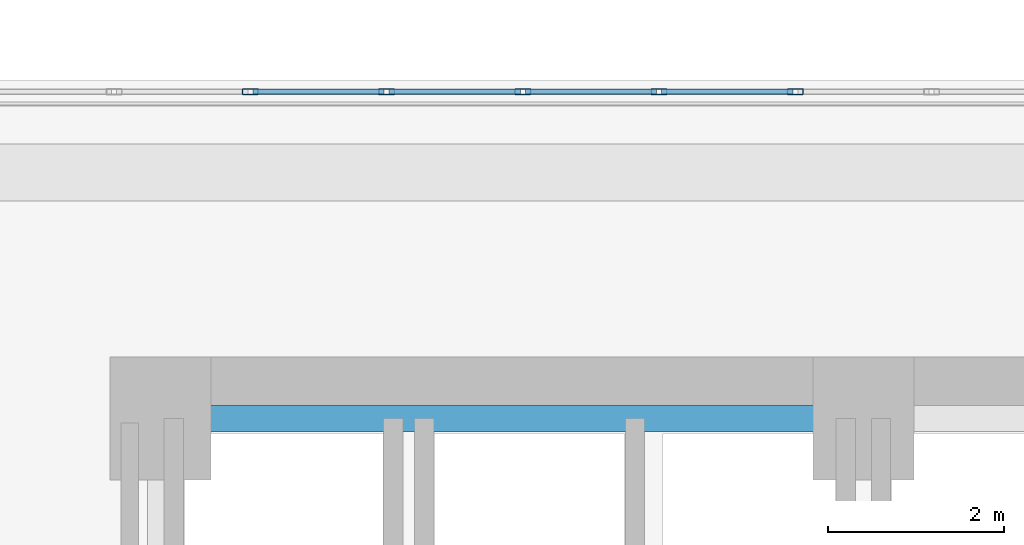
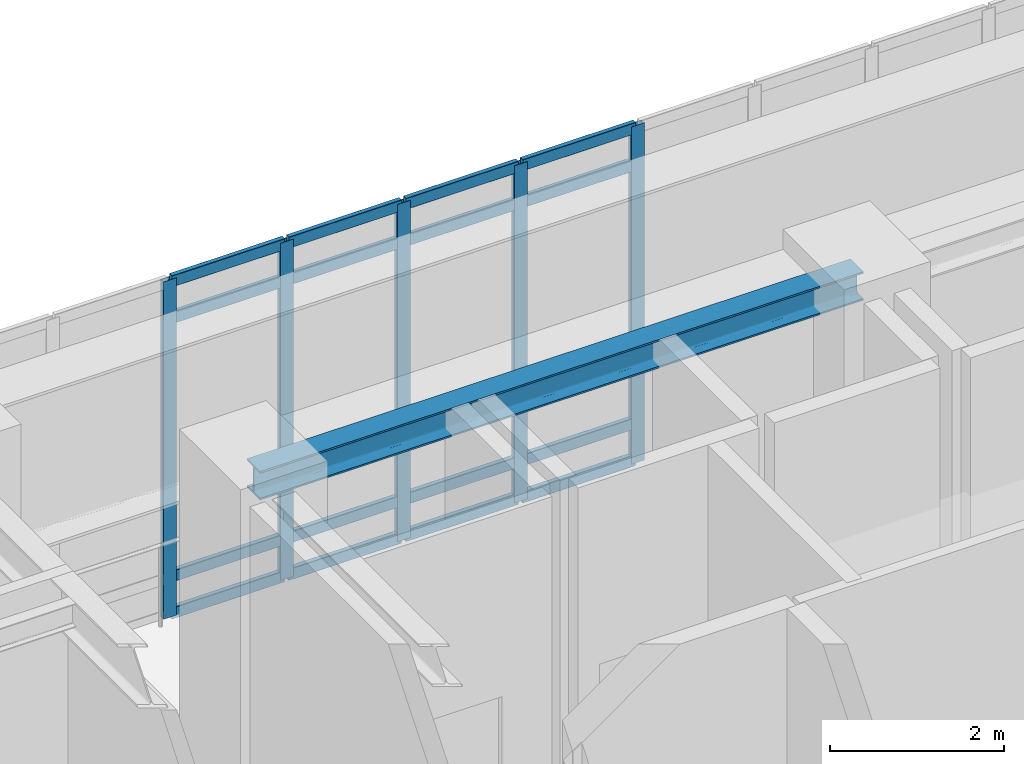
# One storey, part 10 of 26: 21 members, 1 beam, 1 element without a shape of its own.
"""IFC4 building model written with IfcOpenShell, lengths in metres."""

from ifc_helpers import new_model, si_unit, direction, frame, origin, origin_2d, place, context, subcontext, project, spatial, hollow_rectangle, i_section, extrude, material, layer, layer_set, material_profile, profile_set, type_object, element, aggregate, save


model = new_model("IFC4")

# Units and contexts
model_context = context("Model", 3, precision=1e-05, world=origin(), true_north=direction((0.0, 1.0)))
body_context = subcontext(model_context, "Body", "Model", "MODEL_VIEW")
ifc_project = project(units=[si_unit("LENGTHUNIT", "METRE"), si_unit("AREAUNIT", "SQUARE_METRE"), si_unit("VOLUMEUNIT", "CUBIC_METRE"), si_unit("PLANEANGLEUNIT", "RADIAN"), si_unit("MASSUNIT", "GRAM", prefix="KILO")], contexts=[model_context])

# Site, building, storey
site_placement = place(None, origin())
site = spatial("IfcSite", under=ifc_project, at=site_placement, CompositionType="ELEMENT")
building_placement = place(site_placement, origin())
building = spatial("IfcBuilding", under=site, at=building_placement, Name="Ndelora Gate Hotel", CompositionType="ELEMENT")
storey_placement = place(building_placement, frame((0.0, 0.0, 6.0)))
storey = spatial("IfcBuildingStorey", under=building, at=storey_placement, Name="L01", CompositionType="ELEMENT", Elevation=6.0)

# Beam
ifc_material_1 = material(Name="Steel S355", Category="steel")
ifc_material_profile_1 = material_profile(ifc_material_1, i_section(OverallWidth=0.300048828125, OverallDepth=0.39990234375, WebThickness=0.013427734375, FlangeThickness=0.02392578125, FilletRadius=0.027099609375, at=origin_2d()), Name="HEB 400")
ifc_profile_set_1 = profile_set([ifc_material_profile_1], Name="Steel S355")
beam_type = type_object("IfcBeamType", Name="BM-CORE-400", PredefinedType="BEAM", material=ifc_profile_set_1)
beam_placement = place(storey_placement, frame((-8.0, 6.60009765625, 4.52001953125), z_axis=(1.0, 0.0, 0.0), x_axis=(0.0, 1.0, 0.0)))
element("IfcBeam", 1, at=beam_placement, inside=storey, type_object=beam_type, Name="L01 Core Tie Girder CC7-CC6", PredefinedType="BEAM", context=body_context, shape_type="SweptSolid", body=[
    extrude(i_section(OverallWidth=0.300048828125, OverallDepth=0.39990234375, WebThickness=0.013427734375, FlangeThickness=0.02392578125, FilletRadius=0.027099609375, at=origin_2d()), origin(), (0.0, 0.0, 1.0), 8.0),
])

# Curtain wall, members
ifc_material_2 = material(Name="Bronze Anodised Unitised Aluminium and Low-E Glass", Category="aluminium")
ifc_layer = layer(ifc_material_2, 0.239990234375)
ifc_layer_set = layer_set([ifc_layer], Name="Bronze Anodised Unitised Aluminium and Low-E Glass")
curtain_wall_type = type_object("IfcCurtainWallType", Name="CW-SYS-1", PredefinedType="NOTDEFINED", material=ifc_layer_set)
curtain_wall_placement = place(storey_placement, origin())
curtain_wall = element("IfcCurtainWall", 2, at=curtain_wall_placement, inside=storey, type_object=curtain_wall_type, Name="L01 North Portal Arch Concourse Curtain Wall CW1", PredefinedType="NOTDEFINED")
ifc_material_3 = material(Name="Bronze Anodised Aluminium 6063-T6", Category="aluminium")
ifc_material_profile_2 = material_profile(ifc_material_3, hollow_rectangle(XDim=0.070068359375, YDim=0.179931640625, WallThickness=0.0048828125, InnerFilletRadius=0.0048828125, OuterFilletRadius=0.010009765625, at=origin_2d()), Name="ALU 180x70x5")
ifc_profile_set_2 = profile_set([ifc_material_profile_2], Name="Bronze Anodised Aluminium 6063-T6")
member_type_1 = type_object("IfcMemberType", Name="MB-CW-MUL180", PredefinedType="MULLION", material=ifc_profile_set_2)
member_1_placement = place(storey_placement, frame((-0.775390625, 10.320068359375, -0.00390625), z_axis=(0.0, 0.0, 1.0), x_axis=(0.0, -1.0, 0.0)))
member_1 = element("IfcMember", 3, at=member_1_placement, type_object=member_type_1, Name="CW1 mullion 8", PredefinedType="MULLION", context=body_context, shape_type="SweptSolid", body=[
    extrude(hollow_rectangle(XDim=0.070068359375, YDim=0.179931640625, WallThickness=0.0048828125, InnerFilletRadius=0.0048828125, OuterFilletRadius=0.010009765625, at=origin_2d()), origin(), (0.0, 0.0, 1.0), 4.72802734375),
])
member_2_placement = place(storey_placement, frame((-2.326171875, 10.320068359375, -0.00390625), z_axis=(0.0, 0.0, 1.0), x_axis=(0.0, -1.0, 0.0)))
member_2 = element("IfcMember", 4, at=member_2_placement, type_object=member_type_1, Name="CW1 mullion 9", PredefinedType="MULLION", context=body_context, shape_type="SweptSolid", body=[
    extrude(hollow_rectangle(XDim=0.070068359375, YDim=0.179931640625, WallThickness=0.0048828125, InnerFilletRadius=0.0048828125, OuterFilletRadius=0.010009765625, at=origin_2d()), origin(), (0.0, 0.0, 1.0), 4.72802734375),
])
member_3_placement = place(storey_placement, frame((-3.876953125, 10.320068359375, -0.00390625), z_axis=(0.0, 0.0, 1.0), x_axis=(0.0, -1.0, 0.0)))
member_3 = element("IfcMember", 5, at=member_3_placement, type_object=member_type_1, Name="CW1 mullion 10", PredefinedType="MULLION", context=body_context, shape_type="SweptSolid", body=[
    extrude(hollow_rectangle(XDim=0.070068359375, YDim=0.179931640625, WallThickness=0.0048828125, InnerFilletRadius=0.0048828125, OuterFilletRadius=0.010009765625, at=origin_2d()), origin(), (0.0, 0.0, 1.0), 4.72802734375),
])
member_4_placement = place(storey_placement, frame((-5.427734375, 10.320068359375, -0.00390625), z_axis=(0.0, 0.0, 1.0), x_axis=(0.0, -1.0, 0.0)))
member_4 = element("IfcMember", 6, at=member_4_placement, type_object=member_type_1, Name="CW1 mullion 11", PredefinedType="MULLION", context=body_context, shape_type="SweptSolid", body=[
    extrude(hollow_rectangle(XDim=0.070068359375, YDim=0.179931640625, WallThickness=0.0048828125, InnerFilletRadius=0.0048828125, OuterFilletRadius=0.010009765625, at=origin_2d()), origin(), (0.0, 0.0, 1.0), 4.72802734375),
])
member_5_placement = place(storey_placement, frame((-6.978515625, 10.320068359375, -0.00390625), z_axis=(0.0, 0.0, 1.0), x_axis=(0.0, -1.0, 0.0)))
member_5 = element("IfcMember", 7, at=member_5_placement, type_object=member_type_1, Name="CW1 mullion 12", PredefinedType="MULLION", context=body_context, shape_type="SweptSolid", body=[
    extrude(hollow_rectangle(XDim=0.070068359375, YDim=0.179931640625, WallThickness=0.0048828125, InnerFilletRadius=0.0048828125, OuterFilletRadius=0.010009765625, at=origin_2d()), origin(), (0.0, 0.0, 1.0), 4.72802734375),
])
ifc_material_profile_3 = material_profile(ifc_material_3, hollow_rectangle(XDim=0.06494140625, YDim=0.159912109375, WallThickness=0.00390625, InnerFilletRadius=0.00390625, OuterFilletRadius=0.008056640625, at=origin_2d()), Name="ALU 160x65x4")
ifc_profile_set_3 = profile_set([ifc_material_profile_3], Name="Bronze Anodised Aluminium 6063-T6")
member_type_2 = type_object("IfcMemberType", Name="MB-CW-TRN150", PredefinedType="USERDEFINED", material=ifc_profile_set_3)
member_6_placement = place(storey_placement, frame((-0.804443359375, 10.320068359375, 0.032470703125), z_axis=(-1.0, 0.0, 0.0), x_axis=(0.0, -1.0, 0.0)))
member_6 = element("IfcMember", 8, at=member_6_placement, type_object=member_type_2, Name="CW1 transom 8.1", ObjectType="TRANSOM", PredefinedType="USERDEFINED", context=body_context, shape_type="SweptSolid", body=[
    extrude(hollow_rectangle(XDim=0.06494140625, YDim=0.159912109375, WallThickness=0.00390625, InnerFilletRadius=0.00390625, OuterFilletRadius=0.008056640625, at=origin_2d()), origin(), (0.0, 0.0, 1.0), 1.49267578125),
])
member_7_placement = place(storey_placement, frame((-0.804443359375, 10.320068359375, 0.550048828125), z_axis=(-1.0, 0.0, 0.0), x_axis=(0.0, -1.0, 0.0)))
member_7 = element("IfcMember", 9, at=member_7_placement, type_object=member_type_2, Name="CW1 transom 8.2", ObjectType="TRANSOM", PredefinedType="USERDEFINED", context=body_context, shape_type="SweptSolid", body=[
    extrude(hollow_rectangle(XDim=0.06494140625, YDim=0.159912109375, WallThickness=0.00390625, InnerFilletRadius=0.00390625, OuterFilletRadius=0.008056640625, at=origin_2d()), origin(), (0.0, 0.0, 1.0), 1.49267578125),
])
member_8_placement = place(storey_placement, frame((-0.804443359375, 10.320068359375, 4.169921875), z_axis=(-1.0, 0.0, 0.0), x_axis=(0.0, -1.0, 0.0)))
member_8 = element("IfcMember", 10, at=member_8_placement, type_object=member_type_2, Name="CW1 transom 8.3", ObjectType="TRANSOM", PredefinedType="USERDEFINED", context=body_context, shape_type="SweptSolid", body=[
    extrude(hollow_rectangle(XDim=0.06494140625, YDim=0.159912109375, WallThickness=0.00390625, InnerFilletRadius=0.00390625, OuterFilletRadius=0.008056640625, at=origin_2d()), origin(), (0.0, 0.0, 1.0), 1.49267578125),
])
member_9_placement = place(storey_placement, frame((-0.804443359375, 10.320068359375, 4.6875), z_axis=(-1.0, 0.0, 0.0), x_axis=(0.0, -1.0, 0.0)))
member_9 = element("IfcMember", 11, at=member_9_placement, type_object=member_type_2, Name="CW1 transom 8.4", ObjectType="TRANSOM", PredefinedType="USERDEFINED", context=body_context, shape_type="SweptSolid", body=[
    extrude(hollow_rectangle(XDim=0.06494140625, YDim=0.159912109375, WallThickness=0.00390625, InnerFilletRadius=0.00390625, OuterFilletRadius=0.008056640625, at=origin_2d()), origin(), (0.0, 0.0, 1.0), 1.49267578125),
])
member_10_placement = place(storey_placement, frame((-2.355224609375, 10.320068359375, 0.032470703125), z_axis=(-1.0, 0.0, 0.0), x_axis=(0.0, -1.0, 0.0)))
member_10 = element("IfcMember", 12, at=member_10_placement, type_object=member_type_2, Name="CW1 transom 9.1", ObjectType="TRANSOM", PredefinedType="USERDEFINED", context=body_context, shape_type="SweptSolid", body=[
    extrude(hollow_rectangle(XDim=0.06494140625, YDim=0.159912109375, WallThickness=0.00390625, InnerFilletRadius=0.00390625, OuterFilletRadius=0.008056640625, at=origin_2d()), origin(), (0.0, 0.0, 1.0), 1.49267578125),
])
member_11_placement = place(storey_placement, frame((-2.355224609375, 10.320068359375, 0.550048828125), z_axis=(-1.0, 0.0, 0.0), x_axis=(0.0, -1.0, 0.0)))
member_11 = element("IfcMember", 13, at=member_11_placement, type_object=member_type_2, Name="CW1 transom 9.2", ObjectType="TRANSOM", PredefinedType="USERDEFINED", context=body_context, shape_type="SweptSolid", body=[
    extrude(hollow_rectangle(XDim=0.06494140625, YDim=0.159912109375, WallThickness=0.00390625, InnerFilletRadius=0.00390625, OuterFilletRadius=0.008056640625, at=origin_2d()), origin(), (0.0, 0.0, 1.0), 1.49267578125),
])
member_12_placement = place(storey_placement, frame((-2.355224609375, 10.320068359375, 4.169921875), z_axis=(-1.0, 0.0, 0.0), x_axis=(0.0, -1.0, 0.0)))
member_12 = element("IfcMember", 14, at=member_12_placement, type_object=member_type_2, Name="CW1 transom 9.3", ObjectType="TRANSOM", PredefinedType="USERDEFINED", context=body_context, shape_type="SweptSolid", body=[
    extrude(hollow_rectangle(XDim=0.06494140625, YDim=0.159912109375, WallThickness=0.00390625, InnerFilletRadius=0.00390625, OuterFilletRadius=0.008056640625, at=origin_2d()), origin(), (0.0, 0.0, 1.0), 1.49267578125),
])
member_13_placement = place(storey_placement, frame((-2.355224609375, 10.320068359375, 4.6875), z_axis=(-1.0, 0.0, 0.0), x_axis=(0.0, -1.0, 0.0)))
member_13 = element("IfcMember", 15, at=member_13_placement, type_object=member_type_2, Name="CW1 transom 9.4", ObjectType="TRANSOM", PredefinedType="USERDEFINED", context=body_context, shape_type="SweptSolid", body=[
    extrude(hollow_rectangle(XDim=0.06494140625, YDim=0.159912109375, WallThickness=0.00390625, InnerFilletRadius=0.00390625, OuterFilletRadius=0.008056640625, at=origin_2d()), origin(), (0.0, 0.0, 1.0), 1.49267578125),
])
member_14_placement = place(storey_placement, frame((-3.906005859375, 10.320068359375, 0.032470703125), z_axis=(-1.0, 0.0, 0.0), x_axis=(0.0, -1.0, 0.0)))
member_14 = element("IfcMember", 16, at=member_14_placement, type_object=member_type_2, Name="CW1 transom 10.1", ObjectType="TRANSOM", PredefinedType="USERDEFINED", context=body_context, shape_type="SweptSolid", body=[
    extrude(hollow_rectangle(XDim=0.06494140625, YDim=0.159912109375, WallThickness=0.00390625, InnerFilletRadius=0.00390625, OuterFilletRadius=0.008056640625, at=origin_2d()), origin(), (0.0, 0.0, 1.0), 1.49267578125),
])
member_15_placement = place(storey_placement, frame((-3.906005859375, 10.320068359375, 0.550048828125), z_axis=(-1.0, 0.0, 0.0), x_axis=(0.0, -1.0, 0.0)))
member_15 = element("IfcMember", 17, at=member_15_placement, type_object=member_type_2, Name="CW1 transom 10.2", ObjectType="TRANSOM", PredefinedType="USERDEFINED", context=body_context, shape_type="SweptSolid", body=[
    extrude(hollow_rectangle(XDim=0.06494140625, YDim=0.159912109375, WallThickness=0.00390625, InnerFilletRadius=0.00390625, OuterFilletRadius=0.008056640625, at=origin_2d()), origin(), (0.0, 0.0, 1.0), 1.49267578125),
])
member_16_placement = place(storey_placement, frame((-3.906005859375, 10.320068359375, 4.169921875), z_axis=(-1.0, 0.0, 0.0), x_axis=(0.0, -1.0, 0.0)))
member_16 = element("IfcMember", 18, at=member_16_placement, type_object=member_type_2, Name="CW1 transom 10.3", ObjectType="TRANSOM", PredefinedType="USERDEFINED", context=body_context, shape_type="SweptSolid", body=[
    extrude(hollow_rectangle(XDim=0.06494140625, YDim=0.159912109375, WallThickness=0.00390625, InnerFilletRadius=0.00390625, OuterFilletRadius=0.008056640625, at=origin_2d()), origin(), (0.0, 0.0, 1.0), 1.49267578125),
])
member_17_placement = place(storey_placement, frame((-3.906005859375, 10.320068359375, 4.6875), z_axis=(-1.0, 0.0, 0.0), x_axis=(0.0, -1.0, 0.0)))
member_17 = element("IfcMember", 19, at=member_17_placement, type_object=member_type_2, Name="CW1 transom 10.4", ObjectType="TRANSOM", PredefinedType="USERDEFINED", context=body_context, shape_type="SweptSolid", body=[
    extrude(hollow_rectangle(XDim=0.06494140625, YDim=0.159912109375, WallThickness=0.00390625, InnerFilletRadius=0.00390625, OuterFilletRadius=0.008056640625, at=origin_2d()), origin(), (0.0, 0.0, 1.0), 1.49267578125),
])
member_18_placement = place(storey_placement, frame((-5.456787109375, 10.320068359375, 0.032470703125), z_axis=(-1.0, 0.0, 0.0), x_axis=(0.0, -1.0, 0.0)))
member_18 = element("IfcMember", 20, at=member_18_placement, type_object=member_type_2, Name="CW1 transom 11.1", ObjectType="TRANSOM", PredefinedType="USERDEFINED", context=body_context, shape_type="SweptSolid", body=[
    extrude(hollow_rectangle(XDim=0.06494140625, YDim=0.159912109375, WallThickness=0.00390625, InnerFilletRadius=0.00390625, OuterFilletRadius=0.008056640625, at=origin_2d()), origin(), (0.0, 0.0, 1.0), 1.49267578125),
])
member_19_placement = place(storey_placement, frame((-5.456787109375, 10.320068359375, 0.550048828125), z_axis=(-1.0, 0.0, 0.0), x_axis=(0.0, -1.0, 0.0)))
member_19 = element("IfcMember", 21, at=member_19_placement, type_object=member_type_2, Name="CW1 transom 11.2", ObjectType="TRANSOM", PredefinedType="USERDEFINED", context=body_context, shape_type="SweptSolid", body=[
    extrude(hollow_rectangle(XDim=0.06494140625, YDim=0.159912109375, WallThickness=0.00390625, InnerFilletRadius=0.00390625, OuterFilletRadius=0.008056640625, at=origin_2d()), origin(), (0.0, 0.0, 1.0), 1.49267578125),
])
member_20_placement = place(storey_placement, frame((-5.456787109375, 10.320068359375, 4.169921875), z_axis=(-1.0, 0.0, 0.0), x_axis=(0.0, -1.0, 0.0)))
member_20 = element("IfcMember", 22, at=member_20_placement, type_object=member_type_2, Name="CW1 transom 11.3", ObjectType="TRANSOM", PredefinedType="USERDEFINED", context=body_context, shape_type="SweptSolid", body=[
    extrude(hollow_rectangle(XDim=0.06494140625, YDim=0.159912109375, WallThickness=0.00390625, InnerFilletRadius=0.00390625, OuterFilletRadius=0.008056640625, at=origin_2d()), origin(), (0.0, 0.0, 1.0), 1.49267578125),
])
member_21_placement = place(storey_placement, frame((-5.456787109375, 10.320068359375, 4.6875), z_axis=(-1.0, 0.0, 0.0), x_axis=(0.0, -1.0, 0.0)))
member_21 = element("IfcMember", 23, at=member_21_placement, type_object=member_type_2, Name="CW1 transom 11.4", ObjectType="TRANSOM", PredefinedType="USERDEFINED", context=body_context, shape_type="SweptSolid", body=[
    extrude(hollow_rectangle(XDim=0.06494140625, YDim=0.159912109375, WallThickness=0.00390625, InnerFilletRadius=0.00390625, OuterFilletRadius=0.008056640625, at=origin_2d()), origin(), (0.0, 0.0, 1.0), 1.49267578125),
])
aggregate(curtain_wall, [member_1, member_2, member_3, member_4, member_5, member_6, member_7, member_8, member_9, member_10, member_11, member_12, member_13, member_14, member_15, member_16, member_17, member_18, member_19, member_20, member_21])

save(model, "model.ifc")
